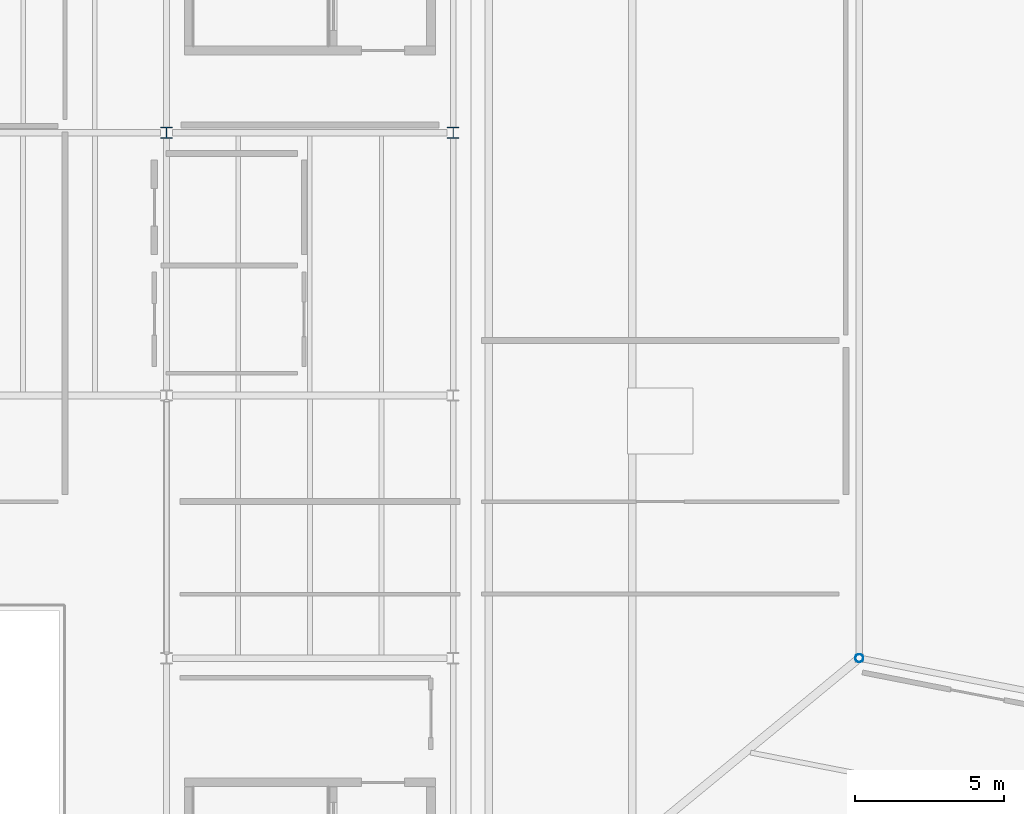
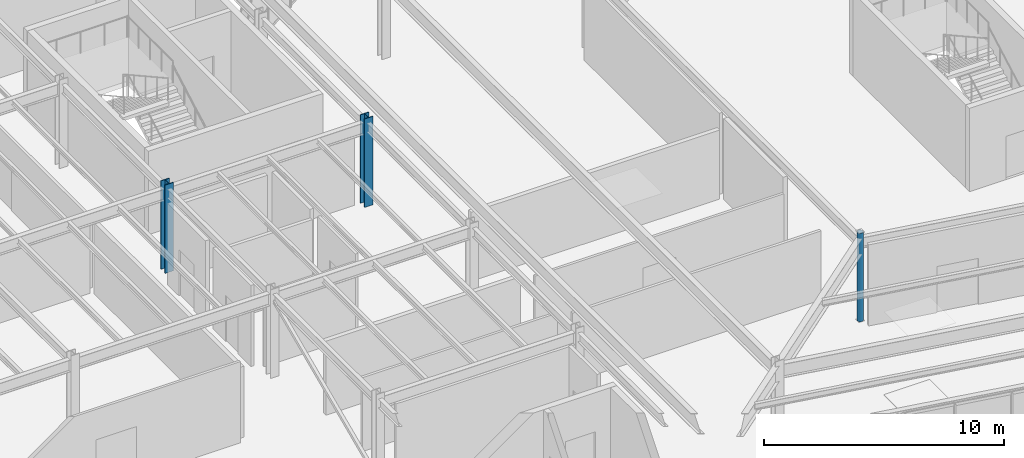
# One storey, part 9 of 88: 3 columns.
"""IFC4 building model written with IfcOpenShell, lengths in metres."""

from ifc_helpers import new_model, si_unit, direction, frame, origin, origin_2d, place, context, subcontext, project, spatial, hollow_circle, i_section, extrude, material, material_profile, profile_set, type_object, element, save


model = new_model("IFC4")

# Units and contexts
model_context = context("Model", 3, precision=1e-05, world=origin(), true_north=direction((0.0, 1.0)))
body_context = subcontext(model_context, "Body", "Model", "MODEL_VIEW")
ifc_project = project(units=[si_unit("LENGTHUNIT", "METRE"), si_unit("AREAUNIT", "SQUARE_METRE"), si_unit("VOLUMEUNIT", "CUBIC_METRE"), si_unit("PLANEANGLEUNIT", "RADIAN"), si_unit("MASSUNIT", "GRAM", prefix="KILO")], contexts=[model_context])

# Site, building, storey
site_placement = place(None, origin())
site = spatial("IfcSite", under=ifc_project, at=site_placement, CompositionType="ELEMENT")
building_placement = place(site_placement, origin())
building = spatial("IfcBuilding", under=site, at=building_placement, Name="Sarnbrook Museum", CompositionType="ELEMENT")
storey_placement = place(building_placement, frame((0.0, 0.0, 10.10009765625)))
storey = spatial("IfcBuildingStorey", under=building, at=storey_placement, Name="L02", CompositionType="ELEMENT", Elevation=10.10009765625)

# Columns
ifc_material_1 = material(Name="Structural Steel Hollow Section Grade C350L0 (AS/NZS 1163, fy = 350 MPa)", Category="steel")
ifc_material_profile_1 = material_profile(ifc_material_1, hollow_circle(Radius=0.136474609375, WallThickness=0.00927734375, at=origin_2d()), Name="273.1x9.3CHS")
ifc_profile_set_1 = profile_set([ifc_material_profile_1], Name="Structural Steel Hollow Section Grade C350L0 (AS/NZS 1163, fy = 350 MPa)")
column_type_1 = type_object("IfcColumnType", Name="COL-CHS273", PredefinedType="COLUMN", material=ifc_profile_set_1)
column_placement = place(storey_placement, frame((132.800048828125, 74.405029296875, 0.0), z_axis=(0.0, 0.0, 1.0), x_axis=(1.0, 0.0, 0.0)))
element("IfcColumn", 1, at=column_placement, inside=storey, type_object=column_type_1, Name="Crystal Gallery Feature Column R2-1 L02", PredefinedType="COLUMN", context=body_context, shape_type="SweptSolid", body=[
    extrude(hollow_circle(Radius=0.136474609375, WallThickness=0.00927734375, at=origin_2d()), origin(), (0.0, 0.0, 1.0), 4.5),
])
ifc_material_2 = material(Name="Structural Steel Grade 350L0 (AS/NZS 3678, fy = 340 MPa for 20 < t <= 40 mm)", Category="steel")
ifc_material_profile_2 = material_profile(ifc_material_2, i_section(OverallWidth=0.39990234375, OverallDepth=0.382080078125, WebThickness=0.02490234375, FlangeThickness=0.035888671875, at=origin_2d()), Name="400WC270")
ifc_profile_set_2 = profile_set([ifc_material_profile_2], Name="Structural Steel Grade 350L0 (AS/NZS 3678, fy = 340 MPa for 20 < t <= 40 mm)")
column_type_2 = type_object("IfcColumnType", Name="COL-WC400", PredefinedType="COLUMN", material=ifc_profile_set_2)
for number, where, z_axis, x_axis, name in (
    (2, (109.60009765625, 92.0, 0.0), (0.0, 0.0, 1.0), (1.0, 0.0, 0.0), "Column 12-L L02"),
    (3, (119.199951171875, 92.0, 0.0), (0.0, 0.0, 1.0), (1.0, 0.0, 0.0), "Column 13-L L02"),
):
    element("IfcColumn", number, at=place(storey_placement, frame(where, z_axis=z_axis, x_axis=x_axis)), inside=storey, type_object=column_type_2, Name=name, PredefinedType="COLUMN", context=body_context, shape_type="SweptSolid", body=[
        extrude(i_section(OverallWidth=0.39990234375, OverallDepth=0.382080078125, WebThickness=0.02490234375, FlangeThickness=0.035888671875, at=origin_2d()), origin(), (0.0, 0.0, 1.0), 4.5),
    ])

save(model, "model.ifc")
